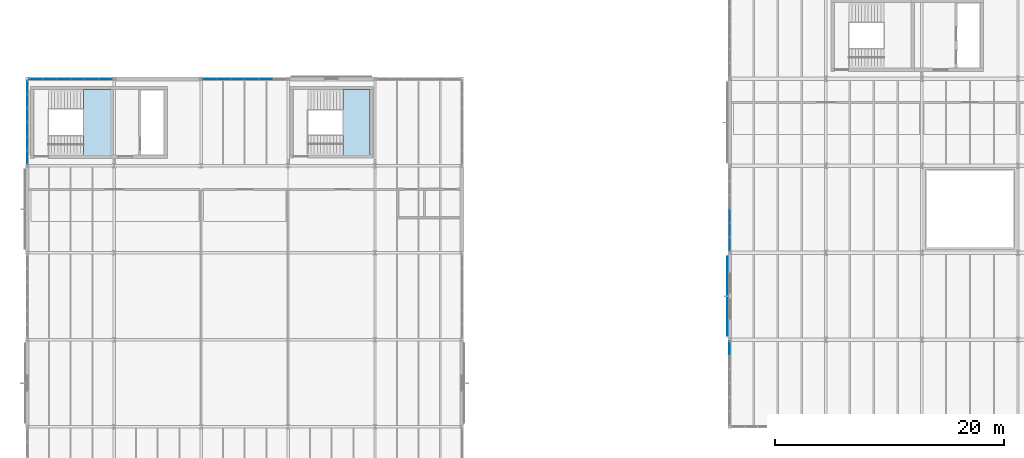
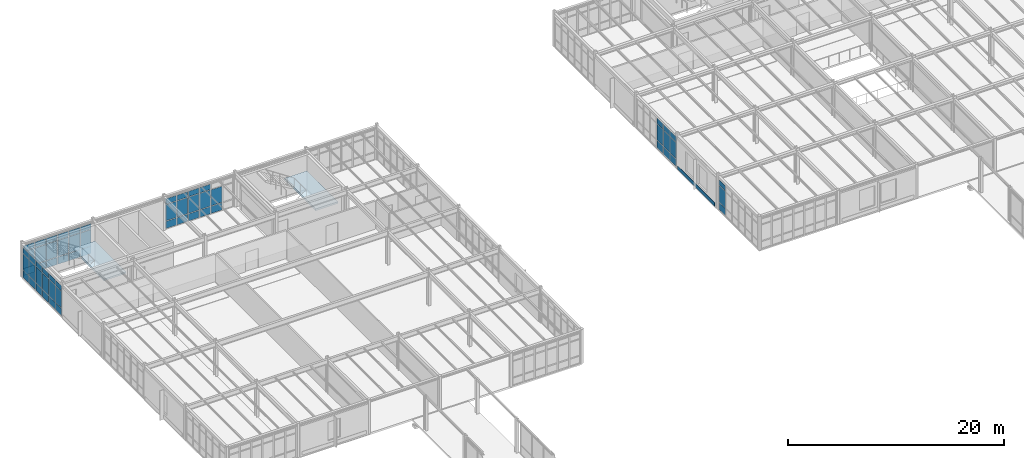
# One storey, part 145 of 189: 63 plates, 2 slabs, 7 elements without a shape of their own.
"""IFC4 building model written with IfcOpenShell, lengths in metres."""

from ifc_helpers import new_model, si_unit, direction, frame, origin, origin_2d, place, context, subcontext, project, spatial, polyline, rectangle, outline, extrude, material, layer, layer_set, type_object, element, aggregate, save


model = new_model("IFC4")

# Units and contexts
model_context = context("Model", 3, precision=1e-05, world=origin(), true_north=direction((0.0, 1.0)))
body_context = subcontext(model_context, "Body", "Model", "MODEL_VIEW")
ifc_project = project(units=[si_unit("LENGTHUNIT", "METRE"), si_unit("AREAUNIT", "SQUARE_METRE"), si_unit("VOLUMEUNIT", "CUBIC_METRE"), si_unit("PLANEANGLEUNIT", "RADIAN"), si_unit("MASSUNIT", "GRAM", prefix="KILO")], contexts=[model_context])

# Site, building, storey
site_placement = place(None, origin())
site = spatial("IfcSite", under=ifc_project, at=site_placement, CompositionType="ELEMENT")
building_placement = place(site_placement, origin())
building = spatial("IfcBuilding", under=site, at=building_placement, Name="Montecoro Central Library", CompositionType="ELEMENT")
storey_placement = place(building_placement, frame((0.0, 0.0, 9.179931640625)))
storey = spatial("IfcBuildingStorey", under=building, at=storey_placement, Name="L02", CompositionType="ELEMENT", Elevation=9.179931640625)

# Curtain wall, plates
ifc_material_1 = material(Name="Bronze-anodised aluminium and low-E glazing", Category="aluminium")
ifc_layer_1 = layer(ifc_material_1, 0.159912109375)
ifc_layer_set_1 = layer_set([ifc_layer_1], Name="Bronze-anodised aluminium and low-E glazing")
curtain_wall_type_1 = type_object("IfcCurtainWallType", Name="CWT-017", PredefinedType="NOTDEFINED", material=ifc_layer_set_1)
curtain_wall_1_placement = place(storey_placement, origin())
curtain_wall_1 = element("IfcCurtainWall", 1, at=curtain_wall_1_placement, inside=storey, type_object=curtain_wall_type_1, Name="V2-L02-CW-W2", PredefinedType="NOTDEFINED")
ifc_material_2 = material(Name="Laminated low-E double glazing", Category="glass")
ifc_layer_2 = layer(ifc_material_2, 0.02587890625)
ifc_layer_set_2 = layer_set([ifc_layer_2], Name="Laminated low-E double glazing")
plate_type_1 = type_object("IfcPlateType", Name="CWP-GLZ-01", PredefinedType="CURTAIN_PANEL", material=ifc_layer_set_2)
plate_1_placement = place(storey_placement, frame((66.39990234375, 99.388916015625, 0.06005859375), z_axis=(0.0, 0.0, 1.0), x_axis=(0.0, -1.0, 0.0)))
plate_1 = element("IfcPlate", 2, at=plate_1_placement, type_object=plate_type_1, Name="CW-017 panel 4.1", PredefinedType="CURTAIN_PANEL", context=body_context, shape_type="SweptSolid", body=[
    extrude(rectangle(XDim=1.162353515625, YDim=0.02587890625, at=origin_2d()), origin(), (0.0, 0.0, 1.0), 0.81005859375),
])
plate_2_placement = place(storey_placement, frame((66.39990234375, 99.388916015625, 0.93017578125), z_axis=(0.0, 0.0, 1.0), x_axis=(0.0, -1.0, 0.0)))
plate_2 = element("IfcPlate", 3, at=plate_2_placement, type_object=plate_type_1, Name="CW-017 panel 4.2", PredefinedType="CURTAIN_PANEL", context=body_context, shape_type="SweptSolid", body=[
    extrude(rectangle(XDim=1.162353515625, YDim=0.02587890625, at=origin_2d()), origin(), (0.0, 0.0, 1.0), 1.820068359375),
])
plate_3_placement = place(storey_placement, frame((66.39990234375, 99.388916015625, 2.81005859375), z_axis=(0.0, 0.0, 1.0), x_axis=(0.0, -1.0, 0.0)))
plate_3 = element("IfcPlate", 4, at=plate_3_placement, type_object=plate_type_1, Name="CW-017 panel 4.3", PredefinedType="CURTAIN_PANEL", context=body_context, shape_type="SweptSolid", body=[
    extrude(rectangle(XDim=1.162353515625, YDim=0.02587890625, at=origin_2d()), origin(), (0.0, 0.0, 1.0), 0.610107421875),
])
plate_4_placement = place(storey_placement, frame((66.39990234375, 98.16650390625, 0.06005859375), z_axis=(0.0, 0.0, 1.0), x_axis=(0.0, -1.0, 0.0)))
plate_4 = element("IfcPlate", 5, at=plate_4_placement, type_object=plate_type_1, Name="CW-017 panel 5.1", PredefinedType="CURTAIN_PANEL", context=body_context, shape_type="SweptSolid", body=[
    extrude(rectangle(XDim=1.162353515625, YDim=0.02587890625, at=origin_2d()), origin(), (0.0, 0.0, 1.0), 0.81005859375),
])
plate_5_placement = place(storey_placement, frame((66.39990234375, 98.16650390625, 0.93017578125), z_axis=(0.0, 0.0, 1.0), x_axis=(0.0, -1.0, 0.0)))
plate_5 = element("IfcPlate", 6, at=plate_5_placement, type_object=plate_type_1, Name="CW-017 panel 5.2", PredefinedType="CURTAIN_PANEL", context=body_context, shape_type="SweptSolid", body=[
    extrude(rectangle(XDim=1.162353515625, YDim=0.02587890625, at=origin_2d()), origin(), (0.0, 0.0, 1.0), 1.820068359375),
])
plate_6_placement = place(storey_placement, frame((66.39990234375, 98.16650390625, 2.81005859375), z_axis=(0.0, 0.0, 1.0), x_axis=(0.0, -1.0, 0.0)))
plate_6 = element("IfcPlate", 7, at=plate_6_placement, type_object=plate_type_1, Name="CW-017 panel 5.3", PredefinedType="CURTAIN_PANEL", context=body_context, shape_type="SweptSolid", body=[
    extrude(rectangle(XDim=1.162353515625, YDim=0.02587890625, at=origin_2d()), origin(), (0.0, 0.0, 1.0), 0.610107421875),
])
plate_7_placement = place(storey_placement, frame((66.39990234375, 96.959228515625, 0.06005859375), z_axis=(0.0, 0.0, 1.0), x_axis=(0.0, -1.0, 0.0)))
plate_7 = element("IfcPlate", 8, at=plate_7_placement, type_object=plate_type_1, Name="CW-017 panel 6.1", PredefinedType="CURTAIN_PANEL", context=body_context, shape_type="SweptSolid", body=[
    extrude(rectangle(XDim=1.13232421875, YDim=0.02587890625, at=origin_2d()), origin(), (0.0, 0.0, 1.0), 0.81005859375),
])
plate_8_placement = place(storey_placement, frame((66.39990234375, 96.959228515625, 0.93017578125), z_axis=(0.0, 0.0, 1.0), x_axis=(0.0, -1.0, 0.0)))
plate_8 = element("IfcPlate", 9, at=plate_8_placement, type_object=plate_type_1, Name="CW-017 panel 6.2", PredefinedType="CURTAIN_PANEL", context=body_context, shape_type="SweptSolid", body=[
    extrude(rectangle(XDim=1.13232421875, YDim=0.02587890625, at=origin_2d()), origin(), (0.0, 0.0, 1.0), 1.820068359375),
])
plate_9_placement = place(storey_placement, frame((66.39990234375, 96.959228515625, 2.81005859375), z_axis=(0.0, 0.0, 1.0), x_axis=(0.0, -1.0, 0.0)))
plate_9 = element("IfcPlate", 10, at=plate_9_placement, type_object=plate_type_1, Name="CW-017 panel 6.3", PredefinedType="CURTAIN_PANEL", context=body_context, shape_type="SweptSolid", body=[
    extrude(rectangle(XDim=1.13232421875, YDim=0.02587890625, at=origin_2d()), origin(), (0.0, 0.0, 1.0), 0.610107421875),
])
aggregate(curtain_wall_1, [plate_1, plate_2, plate_3, plate_4, plate_5, plate_6, plate_7, plate_8, plate_9])

ifc_layer_3 = layer(ifc_material_1, 0.159912109375)
ifc_layer_set_3 = layer_set([ifc_layer_3], Name="Bronze-anodised aluminium and low-E glazing")
curtain_wall_type_2 = type_object("IfcCurtainWallType", Name="CWT-048", PredefinedType="NOTDEFINED", material=ifc_layer_set_3)
curtain_wall_2_placement = place(storey_placement, origin())
curtain_wall_2 = element("IfcCurtainWall", 11, at=curtain_wall_2_placement, inside=storey, type_object=curtain_wall_type_2, Name="V4-L02-CW-N2", PredefinedType="NOTDEFINED")
plate_10_placement = place(storey_placement, frame((25.83349609375, 111.39990234375, 0.06005859375), z_axis=(0.0, 0.0, 1.0), x_axis=(-1.0, 0.0, 0.0)))
plate_10 = element("IfcPlate", 12, at=plate_10_placement, type_object=plate_type_1, Name="CW-048 panel 2.1", PredefinedType="CURTAIN_PANEL", context=body_context, shape_type="SweptSolid", body=[
    extrude(rectangle(XDim=1.162353515625, YDim=0.02587890625, at=origin_2d()), origin(), (0.0, 0.0, 1.0), 0.81005859375),
])
plate_11_placement = place(storey_placement, frame((25.83349609375, 111.39990234375, 0.93017578125), z_axis=(0.0, 0.0, 1.0), x_axis=(-1.0, 0.0, 0.0)))
plate_11 = element("IfcPlate", 13, at=plate_11_placement, type_object=plate_type_1, Name="CW-048 panel 2.2", PredefinedType="CURTAIN_PANEL", context=body_context, shape_type="SweptSolid", body=[
    extrude(rectangle(XDim=1.162353515625, YDim=0.02587890625, at=origin_2d()), origin(), (0.0, 0.0, 1.0), 1.820068359375),
])
plate_12_placement = place(storey_placement, frame((24.611083984375, 111.39990234375, 0.06005859375), z_axis=(0.0, 0.0, 1.0), x_axis=(-1.0, 0.0, 0.0)))
plate_12 = element("IfcPlate", 14, at=plate_12_placement, type_object=plate_type_1, Name="CW-048 panel 3.1", PredefinedType="CURTAIN_PANEL", context=body_context, shape_type="SweptSolid", body=[
    extrude(rectangle(XDim=1.162353515625, YDim=0.02587890625, at=origin_2d()), origin(), (0.0, 0.0, 1.0), 0.81005859375),
])
plate_13_placement = place(storey_placement, frame((24.611083984375, 111.39990234375, 0.93017578125), z_axis=(0.0, 0.0, 1.0), x_axis=(-1.0, 0.0, 0.0)))
plate_13 = element("IfcPlate", 15, at=plate_13_placement, type_object=plate_type_1, Name="CW-048 panel 3.2", PredefinedType="CURTAIN_PANEL", context=body_context, shape_type="SweptSolid", body=[
    extrude(rectangle(XDim=1.162353515625, YDim=0.02587890625, at=origin_2d()), origin(), (0.0, 0.0, 1.0), 1.820068359375),
])
plate_14_placement = place(storey_placement, frame((24.611083984375, 111.39990234375, 2.81005859375), z_axis=(0.0, 0.0, 1.0), x_axis=(-1.0, 0.0, 0.0)))
plate_14 = element("IfcPlate", 16, at=plate_14_placement, type_object=plate_type_1, Name="CW-048 panel 3.3", PredefinedType="CURTAIN_PANEL", context=body_context, shape_type="SweptSolid", body=[
    extrude(rectangle(XDim=1.162353515625, YDim=0.02587890625, at=origin_2d()), origin(), (0.0, 0.0, 1.0), 0.610107421875),
])
plate_15_placement = place(storey_placement, frame((23.388916015625, 111.39990234375, 0.06005859375), z_axis=(0.0, 0.0, 1.0), x_axis=(-1.0, 0.0, 0.0)))
plate_15 = element("IfcPlate", 17, at=plate_15_placement, type_object=plate_type_1, Name="CW-048 panel 4.1", PredefinedType="CURTAIN_PANEL", context=body_context, shape_type="SweptSolid", body=[
    extrude(rectangle(XDim=1.162353515625, YDim=0.02587890625, at=origin_2d()), origin(), (0.0, 0.0, 1.0), 0.81005859375),
])
plate_16_placement = place(storey_placement, frame((23.388916015625, 111.39990234375, 0.93017578125), z_axis=(0.0, 0.0, 1.0), x_axis=(-1.0, 0.0, 0.0)))
plate_16 = element("IfcPlate", 18, at=plate_16_placement, type_object=plate_type_1, Name="CW-048 panel 4.2", PredefinedType="CURTAIN_PANEL", context=body_context, shape_type="SweptSolid", body=[
    extrude(rectangle(XDim=1.162353515625, YDim=0.02587890625, at=origin_2d()), origin(), (0.0, 0.0, 1.0), 1.820068359375),
])
plate_17_placement = place(storey_placement, frame((23.388916015625, 111.39990234375, 2.81005859375), z_axis=(0.0, 0.0, 1.0), x_axis=(-1.0, 0.0, 0.0)))
plate_17 = element("IfcPlate", 19, at=plate_17_placement, type_object=plate_type_1, Name="CW-048 panel 4.3", PredefinedType="CURTAIN_PANEL", context=body_context, shape_type="SweptSolid", body=[
    extrude(rectangle(XDim=1.162353515625, YDim=0.02587890625, at=origin_2d()), origin(), (0.0, 0.0, 1.0), 0.610107421875),
])
plate_18_placement = place(storey_placement, frame((22.16650390625, 111.39990234375, 0.06005859375), z_axis=(0.0, 0.0, 1.0), x_axis=(-1.0, 0.0, 0.0)))
plate_18 = element("IfcPlate", 20, at=plate_18_placement, type_object=plate_type_1, Name="CW-048 panel 5.1", PredefinedType="CURTAIN_PANEL", context=body_context, shape_type="SweptSolid", body=[
    extrude(rectangle(XDim=1.162353515625, YDim=0.02587890625, at=origin_2d()), origin(), (0.0, 0.0, 1.0), 0.81005859375),
])
plate_19_placement = place(storey_placement, frame((22.16650390625, 111.39990234375, 0.93017578125), z_axis=(0.0, 0.0, 1.0), x_axis=(-1.0, 0.0, 0.0)))
plate_19 = element("IfcPlate", 21, at=plate_19_placement, type_object=plate_type_1, Name="CW-048 panel 5.2", PredefinedType="CURTAIN_PANEL", context=body_context, shape_type="SweptSolid", body=[
    extrude(rectangle(XDim=1.162353515625, YDim=0.02587890625, at=origin_2d()), origin(), (0.0, 0.0, 1.0), 1.820068359375),
])
plate_20_placement = place(storey_placement, frame((22.16650390625, 111.39990234375, 2.81005859375), z_axis=(0.0, 0.0, 1.0), x_axis=(-1.0, 0.0, 0.0)))
plate_20 = element("IfcPlate", 22, at=plate_20_placement, type_object=plate_type_1, Name="CW-048 panel 5.3", PredefinedType="CURTAIN_PANEL", context=body_context, shape_type="SweptSolid", body=[
    extrude(rectangle(XDim=1.162353515625, YDim=0.02587890625, at=origin_2d()), origin(), (0.0, 0.0, 1.0), 0.610107421875),
])
plate_21_placement = place(storey_placement, frame((20.959228515625, 111.39990234375, 0.06005859375), z_axis=(0.0, 0.0, 1.0), x_axis=(-1.0, 0.0, 0.0)))
plate_21 = element("IfcPlate", 23, at=plate_21_placement, type_object=plate_type_1, Name="CW-048 panel 6.1", PredefinedType="CURTAIN_PANEL", context=body_context, shape_type="SweptSolid", body=[
    extrude(rectangle(XDim=1.13232421875, YDim=0.02587890625, at=origin_2d()), origin(), (0.0, 0.0, 1.0), 0.81005859375),
])
plate_22_placement = place(storey_placement, frame((20.959228515625, 111.39990234375, 0.93017578125), z_axis=(0.0, 0.0, 1.0), x_axis=(-1.0, 0.0, 0.0)))
plate_22 = element("IfcPlate", 24, at=plate_22_placement, type_object=plate_type_1, Name="CW-048 panel 6.2", PredefinedType="CURTAIN_PANEL", context=body_context, shape_type="SweptSolid", body=[
    extrude(rectangle(XDim=1.13232421875, YDim=0.02587890625, at=origin_2d()), origin(), (0.0, 0.0, 1.0), 1.820068359375),
])
plate_23_placement = place(storey_placement, frame((20.959228515625, 111.39990234375, 2.81005859375), z_axis=(0.0, 0.0, 1.0), x_axis=(-1.0, 0.0, 0.0)))
plate_23 = element("IfcPlate", 25, at=plate_23_placement, type_object=plate_type_1, Name="CW-048 panel 6.3", PredefinedType="CURTAIN_PANEL", context=body_context, shape_type="SweptSolid", body=[
    extrude(rectangle(XDim=1.13232421875, YDim=0.02587890625, at=origin_2d()), origin(), (0.0, 0.0, 1.0), 0.610107421875),
])
aggregate(curtain_wall_2, [plate_10, plate_11, plate_12, plate_13, plate_14, plate_15, plate_16, plate_17, plate_18, plate_19, plate_20, plate_21, plate_22, plate_23])

ifc_layer_4 = layer(ifc_material_1, 0.159912109375)
ifc_layer_set_4 = layer_set([ifc_layer_4], Name="Bronze-anodised aluminium and low-E glazing")
curtain_wall_type_3 = type_object("IfcCurtainWallType", Name="CWT-049", PredefinedType="NOTDEFINED", material=ifc_layer_set_4)
curtain_wall_3_placement = place(storey_placement, origin())
curtain_wall_3 = element("IfcCurtainWall", 26, at=curtain_wall_3_placement, inside=storey, type_object=curtain_wall_type_3, Name="V4-L02-CW-W4", PredefinedType="NOTDEFINED")
ifc_layer_5 = layer(ifc_material_2, 0.033935546875)
ifc_layer_set_5 = layer_set([ifc_layer_5], Name="Laminated low-E double glazing")
plate_type_2 = type_object("IfcPlateType", Name="CWP-GLZ-03", PredefinedType="CURTAIN_PANEL", material=ifc_layer_set_5)
plate_24_placement = place(storey_placement, frame((5.0, 110.640869140625, 0.06005859375), z_axis=(0.0, 0.0, 1.0), x_axis=(0.0, -1.0, 0.0)))
plate_24 = element("IfcPlate", 27, at=plate_24_placement, type_object=plate_type_2, Name="CW-049 panel 1.1", PredefinedType="CURTAIN_PANEL", context=body_context, shape_type="SweptSolid", body=[
    extrude(rectangle(XDim=1.13232421875, YDim=0.033935546875, at=origin_2d()), origin(), (0.0, 0.0, 1.0), 0.81005859375),
])
plate_25_placement = place(storey_placement, frame((5.0, 110.640869140625, 0.93017578125), z_axis=(0.0, 0.0, 1.0), x_axis=(0.0, -1.0, 0.0)))
plate_25 = element("IfcPlate", 28, at=plate_25_placement, type_object=plate_type_2, Name="CW-049 panel 1.2", PredefinedType="CURTAIN_PANEL", context=body_context, shape_type="SweptSolid", body=[
    extrude(rectangle(XDim=1.13232421875, YDim=0.033935546875, at=origin_2d()), origin(), (0.0, 0.0, 1.0), 1.820068359375),
])
plate_26_placement = place(storey_placement, frame((5.0, 110.640869140625, 2.81005859375), z_axis=(0.0, 0.0, 1.0), x_axis=(0.0, -1.0, 0.0)))
plate_26 = element("IfcPlate", 29, at=plate_26_placement, type_object=plate_type_2, Name="CW-049 panel 1.3", PredefinedType="CURTAIN_PANEL", context=body_context, shape_type="SweptSolid", body=[
    extrude(rectangle(XDim=1.13232421875, YDim=0.033935546875, at=origin_2d()), origin(), (0.0, 0.0, 1.0), 0.610107421875),
])
plate_27_placement = place(storey_placement, frame((5.0, 109.43359375, 0.06005859375), z_axis=(0.0, 0.0, 1.0), x_axis=(0.0, -1.0, 0.0)))
plate_27 = element("IfcPlate", 30, at=plate_27_placement, type_object=plate_type_2, Name="CW-049 panel 2.1", PredefinedType="CURTAIN_PANEL", context=body_context, shape_type="SweptSolid", body=[
    extrude(rectangle(XDim=1.162353515625, YDim=0.033935546875, at=origin_2d()), origin(), (0.0, 0.0, 1.0), 0.81005859375),
])
plate_28_placement = place(storey_placement, frame((5.0, 109.43359375, 0.93017578125), z_axis=(0.0, 0.0, 1.0), x_axis=(0.0, -1.0, 0.0)))
plate_28 = element("IfcPlate", 31, at=plate_28_placement, type_object=plate_type_2, Name="CW-049 panel 2.2", PredefinedType="CURTAIN_PANEL", context=body_context, shape_type="SweptSolid", body=[
    extrude(rectangle(XDim=1.162353515625, YDim=0.033935546875, at=origin_2d()), origin(), (0.0, 0.0, 1.0), 1.820068359375),
])
plate_29_placement = place(storey_placement, frame((5.0, 109.43359375, 2.81005859375), z_axis=(0.0, 0.0, 1.0), x_axis=(0.0, -1.0, 0.0)))
plate_29 = element("IfcPlate", 32, at=plate_29_placement, type_object=plate_type_2, Name="CW-049 panel 2.3", PredefinedType="CURTAIN_PANEL", context=body_context, shape_type="SweptSolid", body=[
    extrude(rectangle(XDim=1.162353515625, YDim=0.033935546875, at=origin_2d()), origin(), (0.0, 0.0, 1.0), 0.610107421875),
])
plate_30_placement = place(storey_placement, frame((5.0, 108.211181640625, 0.06005859375), z_axis=(0.0, 0.0, 1.0), x_axis=(0.0, -1.0, 0.0)))
plate_30 = element("IfcPlate", 33, at=plate_30_placement, type_object=plate_type_2, Name="CW-049 panel 3.1", PredefinedType="CURTAIN_PANEL", context=body_context, shape_type="SweptSolid", body=[
    extrude(rectangle(XDim=1.162353515625, YDim=0.033935546875, at=origin_2d()), origin(), (0.0, 0.0, 1.0), 0.81005859375),
])
plate_31_placement = place(storey_placement, frame((5.0, 108.211181640625, 0.93017578125), z_axis=(0.0, 0.0, 1.0), x_axis=(0.0, -1.0, 0.0)))
plate_31 = element("IfcPlate", 34, at=plate_31_placement, type_object=plate_type_2, Name="CW-049 panel 3.2", PredefinedType="CURTAIN_PANEL", context=body_context, shape_type="SweptSolid", body=[
    extrude(rectangle(XDim=1.162353515625, YDim=0.033935546875, at=origin_2d()), origin(), (0.0, 0.0, 1.0), 1.820068359375),
])
plate_32_placement = place(storey_placement, frame((5.0, 108.211181640625, 2.81005859375), z_axis=(0.0, 0.0, 1.0), x_axis=(0.0, -1.0, 0.0)))
plate_32 = element("IfcPlate", 35, at=plate_32_placement, type_object=plate_type_2, Name="CW-049 panel 3.3", PredefinedType="CURTAIN_PANEL", context=body_context, shape_type="SweptSolid", body=[
    extrude(rectangle(XDim=1.162353515625, YDim=0.033935546875, at=origin_2d()), origin(), (0.0, 0.0, 1.0), 0.610107421875),
])
plate_33_placement = place(storey_placement, frame((5.0, 106.98876953125, 0.06005859375), z_axis=(0.0, 0.0, 1.0), x_axis=(0.0, -1.0, 0.0)))
plate_33 = element("IfcPlate", 36, at=plate_33_placement, type_object=plate_type_2, Name="CW-049 panel 4.1", PredefinedType="CURTAIN_PANEL", context=body_context, shape_type="SweptSolid", body=[
    extrude(rectangle(XDim=1.162353515625, YDim=0.033935546875, at=origin_2d()), origin(), (0.0, 0.0, 1.0), 0.81005859375),
])
plate_34_placement = place(storey_placement, frame((5.0, 106.98876953125, 0.93017578125), z_axis=(0.0, 0.0, 1.0), x_axis=(0.0, -1.0, 0.0)))
plate_34 = element("IfcPlate", 37, at=plate_34_placement, type_object=plate_type_2, Name="CW-049 panel 4.2", PredefinedType="CURTAIN_PANEL", context=body_context, shape_type="SweptSolid", body=[
    extrude(rectangle(XDim=1.162353515625, YDim=0.033935546875, at=origin_2d()), origin(), (0.0, 0.0, 1.0), 1.820068359375),
])
plate_35_placement = place(storey_placement, frame((5.0, 106.98876953125, 2.81005859375), z_axis=(0.0, 0.0, 1.0), x_axis=(0.0, -1.0, 0.0)))
plate_35 = element("IfcPlate", 38, at=plate_35_placement, type_object=plate_type_2, Name="CW-049 panel 4.3", PredefinedType="CURTAIN_PANEL", context=body_context, shape_type="SweptSolid", body=[
    extrude(rectangle(XDim=1.162353515625, YDim=0.033935546875, at=origin_2d()), origin(), (0.0, 0.0, 1.0), 0.610107421875),
])
plate_36_placement = place(storey_placement, frame((5.0, 105.7666015625, 0.06005859375), z_axis=(0.0, 0.0, 1.0), x_axis=(0.0, -1.0, 0.0)))
plate_36 = element("IfcPlate", 39, at=plate_36_placement, type_object=plate_type_2, Name="CW-049 panel 5.1", PredefinedType="CURTAIN_PANEL", context=body_context, shape_type="SweptSolid", body=[
    extrude(rectangle(XDim=1.162353515625, YDim=0.033935546875, at=origin_2d()), origin(), (0.0, 0.0, 1.0), 0.81005859375),
])
plate_37_placement = place(storey_placement, frame((5.0, 105.7666015625, 0.93017578125), z_axis=(0.0, 0.0, 1.0), x_axis=(0.0, -1.0, 0.0)))
plate_37 = element("IfcPlate", 40, at=plate_37_placement, type_object=plate_type_2, Name="CW-049 panel 5.2", PredefinedType="CURTAIN_PANEL", context=body_context, shape_type="SweptSolid", body=[
    extrude(rectangle(XDim=1.162353515625, YDim=0.033935546875, at=origin_2d()), origin(), (0.0, 0.0, 1.0), 1.820068359375),
])
plate_38_placement = place(storey_placement, frame((5.0, 105.7666015625, 2.81005859375), z_axis=(0.0, 0.0, 1.0), x_axis=(0.0, -1.0, 0.0)))
plate_38 = element("IfcPlate", 41, at=plate_38_placement, type_object=plate_type_2, Name="CW-049 panel 5.3", PredefinedType="CURTAIN_PANEL", context=body_context, shape_type="SweptSolid", body=[
    extrude(rectangle(XDim=1.162353515625, YDim=0.033935546875, at=origin_2d()), origin(), (0.0, 0.0, 1.0), 0.610107421875),
])
plate_39_placement = place(storey_placement, frame((5.0, 104.55908203125, 0.06005859375), z_axis=(0.0, 0.0, 1.0), x_axis=(0.0, -1.0, 0.0)))
plate_39 = element("IfcPlate", 42, at=plate_39_placement, type_object=plate_type_2, Name="CW-049 panel 6.1", PredefinedType="CURTAIN_PANEL", context=body_context, shape_type="SweptSolid", body=[
    extrude(rectangle(XDim=1.13232421875, YDim=0.033935546875, at=origin_2d()), origin(), (0.0, 0.0, 1.0), 0.81005859375),
])
plate_40_placement = place(storey_placement, frame((5.0, 104.55908203125, 0.93017578125), z_axis=(0.0, 0.0, 1.0), x_axis=(0.0, -1.0, 0.0)))
plate_40 = element("IfcPlate", 43, at=plate_40_placement, type_object=plate_type_2, Name="CW-049 panel 6.2", PredefinedType="CURTAIN_PANEL", context=body_context, shape_type="SweptSolid", body=[
    extrude(rectangle(XDim=1.13232421875, YDim=0.033935546875, at=origin_2d()), origin(), (0.0, 0.0, 1.0), 1.820068359375),
])
plate_41_placement = place(storey_placement, frame((5.0, 104.55908203125, 2.81005859375), z_axis=(0.0, 0.0, 1.0), x_axis=(0.0, -1.0, 0.0)))
plate_41 = element("IfcPlate", 44, at=plate_41_placement, type_object=plate_type_2, Name="CW-049 panel 6.3", PredefinedType="CURTAIN_PANEL", context=body_context, shape_type="SweptSolid", body=[
    extrude(rectangle(XDim=1.13232421875, YDim=0.033935546875, at=origin_2d()), origin(), (0.0, 0.0, 1.0), 0.610107421875),
])
aggregate(curtain_wall_3, [plate_24, plate_25, plate_26, plate_27, plate_28, plate_29, plate_30, plate_31, plate_32, plate_33, plate_34, plate_35, plate_36, plate_37, plate_38, plate_39, plate_40, plate_41])

curtain_wall_4_placement = place(storey_placement, origin())
curtain_wall_4 = element("IfcCurtainWall", 45, at=curtain_wall_4_placement, inside=storey, type_object=curtain_wall_type_1, Name="V2-L02-CW-W0", PredefinedType="NOTDEFINED")
ifc_layer_6 = layer(ifc_material_2, 0.0380859375)
ifc_layer_set_6 = layer_set([ifc_layer_6], Name="Laminated low-E double glazing")
plate_type_3 = type_object("IfcPlateType", Name="CWP-GLZ-04", PredefinedType="CURTAIN_PANEL", material=ifc_layer_set_6)
plate_42_placement = place(storey_placement, frame((66.39990234375, 87.8408203125, 0.06005859375), z_axis=(0.0, 0.0, 1.0), x_axis=(0.0, -1.0, 0.0)))
plate_42 = element("IfcPlate", 46, at=plate_42_placement, type_object=plate_type_3, Name="CW-017 panel 1.1", PredefinedType="CURTAIN_PANEL", context=body_context, shape_type="SweptSolid", body=[
    extrude(rectangle(XDim=1.13232421875, YDim=0.0380859375, at=origin_2d()), origin(), (0.0, 0.0, 1.0), 0.81005859375),
])
plate_43_placement = place(storey_placement, frame((66.39990234375, 87.8408203125, 0.93017578125), z_axis=(0.0, 0.0, 1.0), x_axis=(0.0, -1.0, 0.0)))
plate_43 = element("IfcPlate", 47, at=plate_43_placement, type_object=plate_type_3, Name="CW-017 panel 1.2", PredefinedType="CURTAIN_PANEL", context=body_context, shape_type="SweptSolid", body=[
    extrude(rectangle(XDim=1.13232421875, YDim=0.0380859375, at=origin_2d()), origin(), (0.0, 0.0, 1.0), 1.820068359375),
])
plate_44_placement = place(storey_placement, frame((66.39990234375, 87.8408203125, 2.81005859375), z_axis=(0.0, 0.0, 1.0), x_axis=(0.0, -1.0, 0.0)))
plate_44 = element("IfcPlate", 48, at=plate_44_placement, type_object=plate_type_3, Name="CW-017 panel 1.3", PredefinedType="CURTAIN_PANEL", context=body_context, shape_type="SweptSolid", body=[
    extrude(rectangle(XDim=1.13232421875, YDim=0.0380859375, at=origin_2d()), origin(), (0.0, 0.0, 1.0), 0.610107421875),
])
aggregate(curtain_wall_4, [plate_42, plate_43, plate_44])

curtain_wall_5_placement = place(storey_placement, origin())
curtain_wall_5 = element("IfcCurtainWall", 49, at=curtain_wall_5_placement, inside=storey, type_object=curtain_wall_type_2, Name="V4-L02-CW-N0", PredefinedType="NOTDEFINED")
plate_45_placement = place(storey_placement, frame((11.8408203125, 111.39990234375, 0.06005859375), z_axis=(0.0, 0.0, 1.0), x_axis=(-1.0, 0.0, 0.0)))
plate_45 = element("IfcPlate", 50, at=plate_45_placement, type_object=plate_type_3, Name="CW-048 panel 1.1", PredefinedType="CURTAIN_PANEL", context=body_context, shape_type="SweptSolid", body=[
    extrude(rectangle(XDim=1.13232421875, YDim=0.0380859375, at=origin_2d()), origin(), (0.0, 0.0, 1.0), 0.81005859375),
])
plate_46_placement = place(storey_placement, frame((11.8408203125, 111.39990234375, 0.93017578125), z_axis=(0.0, 0.0, 1.0), x_axis=(-1.0, 0.0, 0.0)))
plate_46 = element("IfcPlate", 51, at=plate_46_placement, type_object=plate_type_3, Name="CW-048 panel 1.2", PredefinedType="CURTAIN_PANEL", context=body_context, shape_type="SweptSolid", body=[
    extrude(rectangle(XDim=1.13232421875, YDim=0.0380859375, at=origin_2d()), origin(), (0.0, 0.0, 1.0), 1.820068359375),
])
plate_47_placement = place(storey_placement, frame((11.8408203125, 111.39990234375, 2.81005859375), z_axis=(0.0, 0.0, 1.0), x_axis=(-1.0, 0.0, 0.0)))
plate_47 = element("IfcPlate", 52, at=plate_47_placement, type_object=plate_type_3, Name="CW-048 panel 1.3", PredefinedType="CURTAIN_PANEL", context=body_context, shape_type="SweptSolid", body=[
    extrude(rectangle(XDim=1.13232421875, YDim=0.0380859375, at=origin_2d()), origin(), (0.0, 0.0, 1.0), 0.610107421875),
])
plate_48_placement = place(storey_placement, frame((10.633544921875, 111.39990234375, 0.06005859375), z_axis=(0.0, 0.0, 1.0), x_axis=(-1.0, 0.0, 0.0)))
plate_48 = element("IfcPlate", 53, at=plate_48_placement, type_object=plate_type_3, Name="CW-048 panel 2.1", PredefinedType="CURTAIN_PANEL", context=body_context, shape_type="SweptSolid", body=[
    extrude(rectangle(XDim=1.162353515625, YDim=0.0380859375, at=origin_2d()), origin(), (0.0, 0.0, 1.0), 0.81005859375),
])
plate_49_placement = place(storey_placement, frame((10.633544921875, 111.39990234375, 0.93017578125), z_axis=(0.0, 0.0, 1.0), x_axis=(-1.0, 0.0, 0.0)))
plate_49 = element("IfcPlate", 54, at=plate_49_placement, type_object=plate_type_3, Name="CW-048 panel 2.2", PredefinedType="CURTAIN_PANEL", context=body_context, shape_type="SweptSolid", body=[
    extrude(rectangle(XDim=1.162353515625, YDim=0.0380859375, at=origin_2d()), origin(), (0.0, 0.0, 1.0), 1.820068359375),
])
plate_50_placement = place(storey_placement, frame((10.633544921875, 111.39990234375, 2.81005859375), z_axis=(0.0, 0.0, 1.0), x_axis=(-1.0, 0.0, 0.0)))
plate_50 = element("IfcPlate", 55, at=plate_50_placement, type_object=plate_type_3, Name="CW-048 panel 2.3", PredefinedType="CURTAIN_PANEL", context=body_context, shape_type="SweptSolid", body=[
    extrude(rectangle(XDim=1.162353515625, YDim=0.0380859375, at=origin_2d()), origin(), (0.0, 0.0, 1.0), 0.610107421875),
])
plate_51_placement = place(storey_placement, frame((9.4111328125, 111.39990234375, 0.06005859375), z_axis=(0.0, 0.0, 1.0), x_axis=(-1.0, 0.0, 0.0)))
plate_51 = element("IfcPlate", 56, at=plate_51_placement, type_object=plate_type_3, Name="CW-048 panel 3.1", PredefinedType="CURTAIN_PANEL", context=body_context, shape_type="SweptSolid", body=[
    extrude(rectangle(XDim=1.162353515625, YDim=0.0380859375, at=origin_2d()), origin(), (0.0, 0.0, 1.0), 0.81005859375),
])
plate_52_placement = place(storey_placement, frame((9.4111328125, 111.39990234375, 0.93017578125), z_axis=(0.0, 0.0, 1.0), x_axis=(-1.0, 0.0, 0.0)))
plate_52 = element("IfcPlate", 57, at=plate_52_placement, type_object=plate_type_3, Name="CW-048 panel 3.2", PredefinedType="CURTAIN_PANEL", context=body_context, shape_type="SweptSolid", body=[
    extrude(rectangle(XDim=1.162353515625, YDim=0.0380859375, at=origin_2d()), origin(), (0.0, 0.0, 1.0), 1.820068359375),
])
plate_53_placement = place(storey_placement, frame((9.4111328125, 111.39990234375, 2.81005859375), z_axis=(0.0, 0.0, 1.0), x_axis=(-1.0, 0.0, 0.0)))
plate_53 = element("IfcPlate", 58, at=plate_53_placement, type_object=plate_type_3, Name="CW-048 panel 3.3", PredefinedType="CURTAIN_PANEL", context=body_context, shape_type="SweptSolid", body=[
    extrude(rectangle(XDim=1.162353515625, YDim=0.0380859375, at=origin_2d()), origin(), (0.0, 0.0, 1.0), 0.610107421875),
])
plate_54_placement = place(storey_placement, frame((8.188720703125, 111.39990234375, 0.06005859375), z_axis=(0.0, 0.0, 1.0), x_axis=(-1.0, 0.0, 0.0)))
plate_54 = element("IfcPlate", 59, at=plate_54_placement, type_object=plate_type_3, Name="CW-048 panel 4.1", PredefinedType="CURTAIN_PANEL", context=body_context, shape_type="SweptSolid", body=[
    extrude(rectangle(XDim=1.162353515625, YDim=0.0380859375, at=origin_2d()), origin(), (0.0, 0.0, 1.0), 0.81005859375),
])
plate_55_placement = place(storey_placement, frame((8.188720703125, 111.39990234375, 0.93017578125), z_axis=(0.0, 0.0, 1.0), x_axis=(-1.0, 0.0, 0.0)))
plate_55 = element("IfcPlate", 60, at=plate_55_placement, type_object=plate_type_3, Name="CW-048 panel 4.2", PredefinedType="CURTAIN_PANEL", context=body_context, shape_type="SweptSolid", body=[
    extrude(rectangle(XDim=1.162353515625, YDim=0.0380859375, at=origin_2d()), origin(), (0.0, 0.0, 1.0), 1.820068359375),
])
plate_56_placement = place(storey_placement, frame((8.188720703125, 111.39990234375, 2.81005859375), z_axis=(0.0, 0.0, 1.0), x_axis=(-1.0, 0.0, 0.0)))
plate_56 = element("IfcPlate", 61, at=plate_56_placement, type_object=plate_type_3, Name="CW-048 panel 4.3", PredefinedType="CURTAIN_PANEL", context=body_context, shape_type="SweptSolid", body=[
    extrude(rectangle(XDim=1.162353515625, YDim=0.0380859375, at=origin_2d()), origin(), (0.0, 0.0, 1.0), 0.610107421875),
])
plate_57_placement = place(storey_placement, frame((6.966552734375, 111.39990234375, 0.06005859375), z_axis=(0.0, 0.0, 1.0), x_axis=(-1.0, 0.0, 0.0)))
plate_57 = element("IfcPlate", 62, at=plate_57_placement, type_object=plate_type_3, Name="CW-048 panel 5.1", PredefinedType="CURTAIN_PANEL", context=body_context, shape_type="SweptSolid", body=[
    extrude(rectangle(XDim=1.162353515625, YDim=0.0380859375, at=origin_2d()), origin(), (0.0, 0.0, 1.0), 0.81005859375),
])
plate_58_placement = place(storey_placement, frame((6.966552734375, 111.39990234375, 0.93017578125), z_axis=(0.0, 0.0, 1.0), x_axis=(-1.0, 0.0, 0.0)))
plate_58 = element("IfcPlate", 63, at=plate_58_placement, type_object=plate_type_3, Name="CW-048 panel 5.2", PredefinedType="CURTAIN_PANEL", context=body_context, shape_type="SweptSolid", body=[
    extrude(rectangle(XDim=1.162353515625, YDim=0.0380859375, at=origin_2d()), origin(), (0.0, 0.0, 1.0), 1.820068359375),
])
plate_59_placement = place(storey_placement, frame((6.966552734375, 111.39990234375, 2.81005859375), z_axis=(0.0, 0.0, 1.0), x_axis=(-1.0, 0.0, 0.0)))
plate_59 = element("IfcPlate", 64, at=plate_59_placement, type_object=plate_type_3, Name="CW-048 panel 5.3", PredefinedType="CURTAIN_PANEL", context=body_context, shape_type="SweptSolid", body=[
    extrude(rectangle(XDim=1.162353515625, YDim=0.0380859375, at=origin_2d()), origin(), (0.0, 0.0, 1.0), 0.610107421875),
])
plate_60_placement = place(storey_placement, frame((5.75927734375, 111.39990234375, 0.06005859375), z_axis=(0.0, 0.0, 1.0), x_axis=(-1.0, 0.0, 0.0)))
plate_60 = element("IfcPlate", 65, at=plate_60_placement, type_object=plate_type_3, Name="CW-048 panel 6.1", PredefinedType="CURTAIN_PANEL", context=body_context, shape_type="SweptSolid", body=[
    extrude(rectangle(XDim=1.13232421875, YDim=0.0380859375, at=origin_2d()), origin(), (0.0, 0.0, 1.0), 0.81005859375),
])
plate_61_placement = place(storey_placement, frame((5.75927734375, 111.39990234375, 0.93017578125), z_axis=(0.0, 0.0, 1.0), x_axis=(-1.0, 0.0, 0.0)))
plate_61 = element("IfcPlate", 66, at=plate_61_placement, type_object=plate_type_3, Name="CW-048 panel 6.2", PredefinedType="CURTAIN_PANEL", context=body_context, shape_type="SweptSolid", body=[
    extrude(rectangle(XDim=1.13232421875, YDim=0.0380859375, at=origin_2d()), origin(), (0.0, 0.0, 1.0), 1.820068359375),
])
plate_62_placement = place(storey_placement, frame((5.75927734375, 111.39990234375, 2.81005859375), z_axis=(0.0, 0.0, 1.0), x_axis=(-1.0, 0.0, 0.0)))
plate_62 = element("IfcPlate", 67, at=plate_62_placement, type_object=plate_type_3, Name="CW-048 panel 6.3", PredefinedType="CURTAIN_PANEL", context=body_context, shape_type="SweptSolid", body=[
    extrude(rectangle(XDim=1.13232421875, YDim=0.0380859375, at=origin_2d()), origin(), (0.0, 0.0, 1.0), 0.610107421875),
])
aggregate(curtain_wall_5, [plate_45, plate_46, plate_47, plate_48, plate_49, plate_50, plate_51, plate_52, plate_53, plate_54, plate_55, plate_56, plate_57, plate_58, plate_59, plate_60, plate_61, plate_62])

# Plate
ifc_material_3 = material(Name="Architectural bronze spandrel plate", Category="aluminium")
ifc_layer_7 = layer(ifc_material_3, 0.02197265625)
ifc_layer_set_7 = layer_set([ifc_layer_7], Name="Architectural bronze spandrel plate")
plate_type_4 = type_object("IfcPlateType", Name="PLT-SPN-01", PredefinedType="SHEET", material=ifc_layer_set_7)
plate_63_placement = place(storey_placement, frame((66.216552734375, 92.39990234375, 0.16015625), z_axis=(0.0, 0.0, 1.0), x_axis=(0.0, -1.0, 0.0)))
element("IfcPlate", 68, at=plate_63_placement, inside=storey, type_object=plate_type_4, Name="V2-L02-SPN-W1", PredefinedType="SHEET", context=body_context, shape_type="SweptSolid", body=[
    extrude(rectangle(XDim=6.93408203125, YDim=0.02197265625, at=origin_2d()), origin(), (0.0, 0.0, 1.0), 0.39990234375),
])

# Stair, slab
ifc_material_4 = material(Name="Concrete C35/45", Category="concrete")
stair_type_1 = type_object("IfcStairType", Name="STR-RET-155", PredefinedType="HALF_TURN_STAIR", material=ifc_material_4)
stair_1_placement = place(storey_placement, origin())
stair_1 = element("IfcStair", 69, at=stair_1_placement, inside=storey, type_object=stair_type_1, Name="C5-L02-STR", PredefinedType="HALF_TURN_STAIR")
ifc_layer_8 = layer(ifc_material_4, 0.199951171875)
ifc_layer_set_8 = layer_set([ifc_layer_8], Name="Concrete C35/45")
slab_type = type_object("IfcSlabType", Name="SL-LND-200", PredefinedType="LANDING", material=ifc_layer_set_8)
slab_1_placement = place(storey_placement, frame((0.0, 0.0, 1.840087890625)))
slab_1 = element("IfcSlab", 70, at=slab_1_placement, type_object=slab_type, Name="ST-05 landing 1", PredefinedType="LANDING", context=body_context, shape_type="SweptSolid", body=[
    extrude(outline(polyline([(9.919921875, 104.719970703125), (12.300048828125, 104.719970703125), (12.300048828125, 110.47998046875), (9.919921875, 110.47998046875), (9.919921875, 104.719970703125)])), origin(), (0.0, 0.0, 1.0), 0.199951171875),
])
aggregate(stair_1, [slab_1])

stair_type_2 = type_object("IfcStairType", Name="STR-RET-160", PredefinedType="HALF_TURN_STAIR", material=ifc_material_4)
stair_2_placement = place(storey_placement, origin())
stair_2 = element("IfcStair", 71, at=stair_2_placement, inside=storey, type_object=stair_type_2, Name="C9-L02-STR", PredefinedType="HALF_TURN_STAIR")
slab_2_placement = place(storey_placement, frame((0.0, 0.0, 1.840087890625)))
slab_2 = element("IfcSlab", 72, at=slab_2_placement, type_object=slab_type, Name="ST-09 landing 1", PredefinedType="LANDING", context=body_context, shape_type="SweptSolid", body=[
    extrude(outline(polyline([(32.60009765625, 104.719970703125), (34.97998046875, 104.719970703125), (34.97998046875, 110.47998046875), (32.60009765625, 110.47998046875), (32.60009765625, 104.719970703125)])), origin(), (0.0, 0.0, 1.0), 0.199951171875),
])
aggregate(stair_2, [slab_2])

save(model, "model.ifc")
